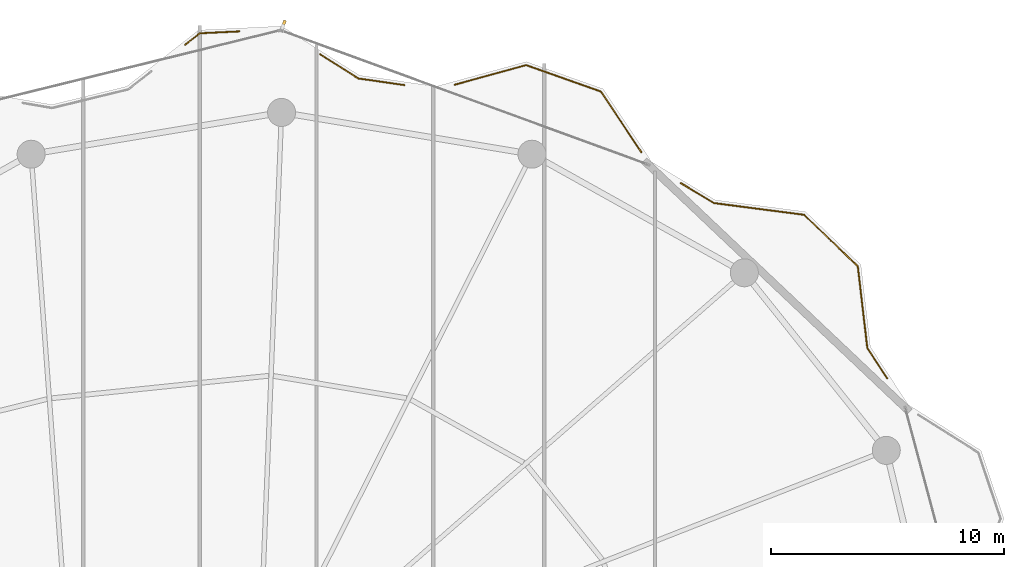
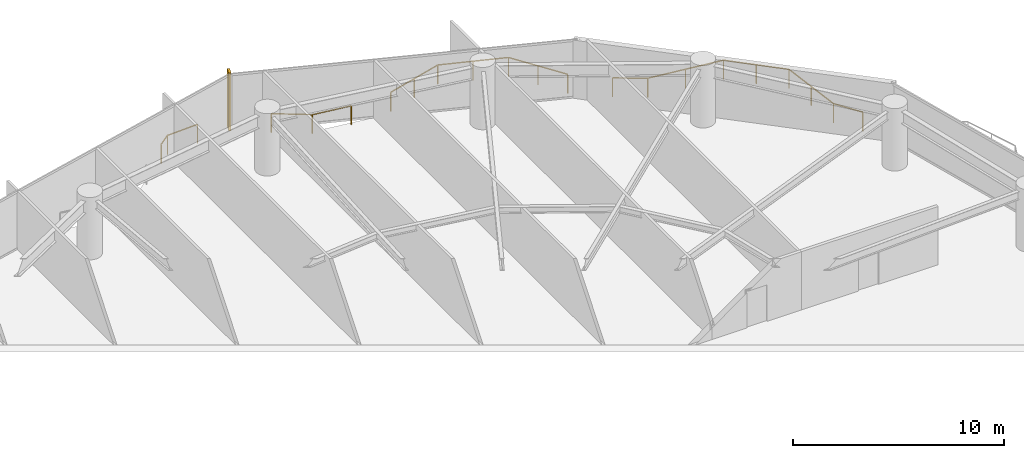
# One storey, part 28 of 28: 4 railings, 1 shading device.
"""IFC4 building model written with IfcOpenShell, lengths in metres."""

from ifc_helpers import new_model, si_unit, direction, frame, origin, origin_2d, place, context, subcontext, project, spatial, rectangle, extrude, material, type_object, element, save


model = new_model("IFC4")

# Units and contexts
model_context = context("Model", 3, precision=1e-05, world=origin(), true_north=direction((0.0, 1.0)))
body_context = subcontext(model_context, "Body", "Model", "MODEL_VIEW")
ifc_project = project(units=[si_unit("LENGTHUNIT", "METRE"), si_unit("AREAUNIT", "SQUARE_METRE"), si_unit("VOLUMEUNIT", "CUBIC_METRE"), si_unit("PLANEANGLEUNIT", "RADIAN"), si_unit("MASSUNIT", "GRAM", prefix="KILO")], contexts=[model_context])

# Site, building, storey
site_placement = place(None, origin())
site = spatial("IfcSite", under=ifc_project, at=site_placement, CompositionType="ELEMENT")
building_placement = place(site_placement, origin())
building = spatial("IfcBuilding", under=site, at=building_placement, Name="Kazevale Care Tower and Concert Hall", CompositionType="ELEMENT")
storey_placement = place(building_placement, frame((0.0, 0.0, 135.0)))
storey = spatial("IfcBuildingStorey", under=building, at=storey_placement, Name="L35", CompositionType="ELEMENT", Elevation=135.0)

# Railings
ifc_material_1 = material(Name="Anodised Bronze Aluminium and Laminated Glass", Category="aluminium")
railing_type = type_object("IfcRailingType", Name="Balcony and Terrace Balustrade 1120", PredefinedType="BALUSTRADE", material=ifc_material_1)
railing_1_placement = place(storey_placement, frame((40.875, 64.35400390625, 0.0)))
element("IfcRailing", 1, at=railing_1_placement, inside=storey, type_object=railing_type, Name="rail:L35:perim:6", PredefinedType="BALUSTRADE", context=body_context, shape_type="SweptSolid", body=[
    extrude(rectangle(XDim=0.048095703125, YDim=0.048095703125, at=origin_2d()), frame((0.0, 0.0, 1.09619140625), z_axis=(0.786296888073, 0.61784885191, 0.0), x_axis=(-0.61784885191, 0.786296888073, 0.0)), (0.0, 0.0, 1.0), 0.789794921875),
    extrude(rectangle(XDim=0.048095703125, YDim=0.048095703125, at=origin_2d()), frame((0.62109375, 0.488037109375, 1.09619140625), z_axis=(0.998846104171, 0.04802562007, 0.0), x_axis=(-0.04802562007, 0.998846104171, 0.0)), (0.0, 0.0, 1.0), 1.687744140625),
    extrude(rectangle(XDim=0.0419921875, YDim=0.0419921875, at=origin_2d()), origin(), (0.0, 0.0, 1.0), 1.072021484375),
    extrude(rectangle(XDim=0.0419921875, YDim=0.0419921875, at=origin_2d()), frame((0.62109375, 0.488037109375, 0.0)), (0.0, 0.0, 1.0), 1.072021484375),
    extrude(rectangle(XDim=0.0419921875, YDim=0.0419921875, at=origin_2d()), frame((2.306884765625, 0.569091796875, 0.0)), (0.0, 0.0, 1.0), 1.072021484375),
])
railing_2_placement = place(storey_placement, frame((46.64794921875, 63.943115234375, 0.0)))
element("IfcRailing", 2, at=railing_2_placement, inside=storey, type_object=railing_type, Name="rail:L35:perim:7", PredefinedType="BALUSTRADE", context=body_context, shape_type="SweptSolid", body=[
    extrude(rectangle(XDim=0.048095703125, YDim=0.048095703125, at=origin_2d()), frame((0.0, 0.0, 1.09619140625), z_axis=(0.845285408951, -0.534315054452, 0.0), x_axis=(0.534315054452, 0.845285408951, 0.0)), (0.0, 0.0, 1.0), 1.939208984375),
    extrude(rectangle(XDim=0.048095703125, YDim=0.048095703125, at=origin_2d()), frame((1.63916015625, -1.0361328125, 1.09619140625), z_axis=(0.989851165492, -0.142107952534, 0.0), x_axis=(0.142107952534, 0.989851165492, 0.0)), (0.0, 0.0, 1.0), 1.9912109375),
    extrude(rectangle(XDim=0.0419921875, YDim=0.0419921875, at=origin_2d()), origin(), (0.0, 0.0, 1.0), 1.072021484375),
    extrude(rectangle(XDim=0.0419921875, YDim=0.0419921875, at=origin_2d()), frame((1.63916015625, -1.0361328125, 0.0)), (0.0, 0.0, 1.0), 1.072021484375),
    extrude(rectangle(XDim=0.0419921875, YDim=0.0419921875, at=origin_2d()), frame((3.610107421875, -1.319091796875, 0.0)), (0.0, 0.0, 1.0), 1.072021484375),
])
railing_3_placement = place(storey_placement, frame((52.426025390625, 62.64111328125, 0.0)))
element("IfcRailing", 3, at=railing_3_placement, inside=storey, type_object=railing_type, Name="rail:L35:perim:8", PredefinedType="BALUSTRADE", context=body_context, shape_type="SweptSolid", body=[
    extrude(rectangle(XDim=0.048095703125, YDim=0.048095703125, at=origin_2d()), frame((0.0, 0.0, 1.09619140625), z_axis=(0.964305315259, 0.264792860484, 0.0), x_axis=(-0.264792860484, 0.964305315259, 0.0)), (0.0, 0.0, 1.0), 3.16796875),
    extrude(rectangle(XDim=0.048095703125, YDim=0.048095703125, at=origin_2d()), frame((3.054931640625, 0.8388671875, 1.09619140625), z_axis=(0.942606504608, -0.333905641567, 0.0), x_axis=(0.333905641567, 0.942606504608, 0.0)), (0.0, 0.0, 1.0), 3.399169921875),
    extrude(rectangle(XDim=0.048095703125, YDim=0.048095703125, at=origin_2d()), frame((6.259033203125, -0.296142578125, 1.09619140625), z_axis=(0.554087210484, -0.832458625505, 0.0), x_axis=(0.832458625505, 0.554087210484, 0.0)), (0.0, 0.0, 1.0), 3.125732421875),
    extrude(rectangle(XDim=0.0419921875, YDim=0.0419921875, at=origin_2d()), origin(), (0.0, 0.0, 1.0), 1.072021484375),
    extrude(rectangle(XDim=0.0419921875, YDim=0.0419921875, at=origin_2d()), frame((1.52734375, 0.41943359375, 0.0)), (0.0, 0.0, 1.0), 1.072021484375),
    extrude(rectangle(XDim=0.0419921875, YDim=0.0419921875, at=origin_2d()), frame((3.054931640625, 0.8388671875, 0.0)), (0.0, 0.0, 1.0), 1.072021484375),
    extrude(rectangle(XDim=0.0419921875, YDim=0.0419921875, at=origin_2d()), frame((4.656982421875, 0.271484375, 0.0)), (0.0, 0.0, 1.0), 1.072021484375),
    extrude(rectangle(XDim=0.0419921875, YDim=0.0419921875, at=origin_2d()), frame((6.259033203125, -0.296142578125, 0.0)), (0.0, 0.0, 1.0), 1.072021484375),
    extrude(rectangle(XDim=0.0419921875, YDim=0.0419921875, at=origin_2d()), frame((7.125, -1.59716796875, 0.0)), (0.0, 0.0, 1.0), 1.072021484375),
    extrude(rectangle(XDim=0.0419921875, YDim=0.0419921875, at=origin_2d()), frame((7.990966796875, -2.898193359375, 0.0)), (0.0, 0.0, 1.0), 1.072021484375),
])
railing_4_placement = place(storey_placement, frame((62.10400390625, 58.425048828125, 0.0)))
element("IfcRailing", 4, at=railing_4_placement, inside=storey, type_object=railing_type, Name="rail:L35:perim:9", PredefinedType="BALUSTRADE", context=body_context, shape_type="SweptSolid", body=[
    extrude(rectangle(XDim=0.048095703125, YDim=0.048095703125, at=origin_2d()), frame((0.0, 0.0, 1.09619140625), z_axis=(0.857286075964, -0.514840348029, 0.0), x_axis=(0.514840348029, 0.857286075964, 0.0)), (0.0, 0.0, 1.0), 1.666748046875),
    extrude(rectangle(XDim=0.048095703125, YDim=0.048095703125, at=origin_2d()), frame((1.428955078125, -0.858154296875, 1.09619140625), z_axis=(0.991624912909, -0.12915119859, 0.0), x_axis=(0.12915119859, 0.991624912909, 0.0)), (0.0, 0.0, 1.0), 3.886474609375),
    extrude(rectangle(XDim=0.048095703125, YDim=0.048095703125, at=origin_2d()), frame((5.282958984375, -1.360107421875, 1.09619140625), z_axis=(0.722483817146, -0.691387831801, 0.0), x_axis=(0.691387831801, 0.722483817146, 0.0)), (0.0, 0.0, 1.0), 3.1875),
    extrude(rectangle(XDim=0.048095703125, YDim=0.048095703125, at=origin_2d()), frame((7.5859375, -3.56396484375, 1.09619140625), z_axis=(0.115399198522, -0.993319195919, 0.0), x_axis=(0.993319195919, 0.115399198522, 0.0)), (0.0, 0.0, 1.0), 3.52685546875),
    extrude(rectangle(XDim=0.048095703125, YDim=0.048095703125, at=origin_2d()), frame((7.992919921875, -7.067138671875, 1.09619140625), z_axis=(0.547143637921, -0.837038732367, 0.0), x_axis=(0.837038732367, 0.547143637921, 0.0)), (0.0, 0.0, 1.0), 1.555419921875),
    extrude(rectangle(XDim=0.0419921875, YDim=0.0419921875, at=origin_2d()), origin(), (0.0, 0.0, 1.0), 1.072021484375),
    extrude(rectangle(XDim=0.0419921875, YDim=0.0419921875, at=origin_2d()), frame((1.428955078125, -0.858154296875, 0.0)), (0.0, 0.0, 1.0), 1.072021484375),
    extrude(rectangle(XDim=0.0419921875, YDim=0.0419921875, at=origin_2d()), frame((3.35595703125, -1.109130859375, 0.0)), (0.0, 0.0, 1.0), 1.072021484375),
    extrude(rectangle(XDim=0.0419921875, YDim=0.0419921875, at=origin_2d()), frame((5.282958984375, -1.360107421875, 0.0)), (0.0, 0.0, 1.0), 1.072021484375),
    extrude(rectangle(XDim=0.0419921875, YDim=0.0419921875, at=origin_2d()), frame((6.4345703125, -2.4619140625, 0.0)), (0.0, 0.0, 1.0), 1.072021484375),
    extrude(rectangle(XDim=0.0419921875, YDim=0.0419921875, at=origin_2d()), frame((7.5859375, -3.56396484375, 0.0)), (0.0, 0.0, 1.0), 1.072021484375),
    extrude(rectangle(XDim=0.0419921875, YDim=0.0419921875, at=origin_2d()), frame((7.78955078125, -5.3154296875, 0.0)), (0.0, 0.0, 1.0), 1.072021484375),
    extrude(rectangle(XDim=0.0419921875, YDim=0.0419921875, at=origin_2d()), frame((7.992919921875, -7.067138671875, 0.0)), (0.0, 0.0, 1.0), 1.072021484375),
    extrude(rectangle(XDim=0.0419921875, YDim=0.0419921875, at=origin_2d()), frame((8.843994140625, -8.369140625, 0.0)), (0.0, 0.0, 1.0), 1.072021484375),
])

# Shading device
ifc_material_2 = material(Name="Honed Ochre Limestone", Category="masonry")
shading_device_type = type_object("IfcShadingDeviceType", Name="Vertical Honed Limestone Fin FIN-01", PredefinedType="USERDEFINED", material=ifc_material_2)
shading_device_placement = place(storey_placement, frame((45.084228515625, 65.21240234375, 0.0), z_axis=(0.0, 0.0, 1.0), x_axis=(0.343167938899, 0.939274063153, 0.0)))
element("IfcShadingDevice", 5, at=shading_device_placement, inside=storey, type_object=shading_device_type, Name="cw:L35:f16:fin", ObjectType="FIN", PredefinedType="USERDEFINED", context=body_context, shape_type="SweptSolid", body=[
    extrude(rectangle(XDim=0.3798828125, YDim=0.1201171875, at=origin_2d()), origin(), (0.0, 0.0, 1.0), 3.360107421875),
])

save(model, "model.ifc")
